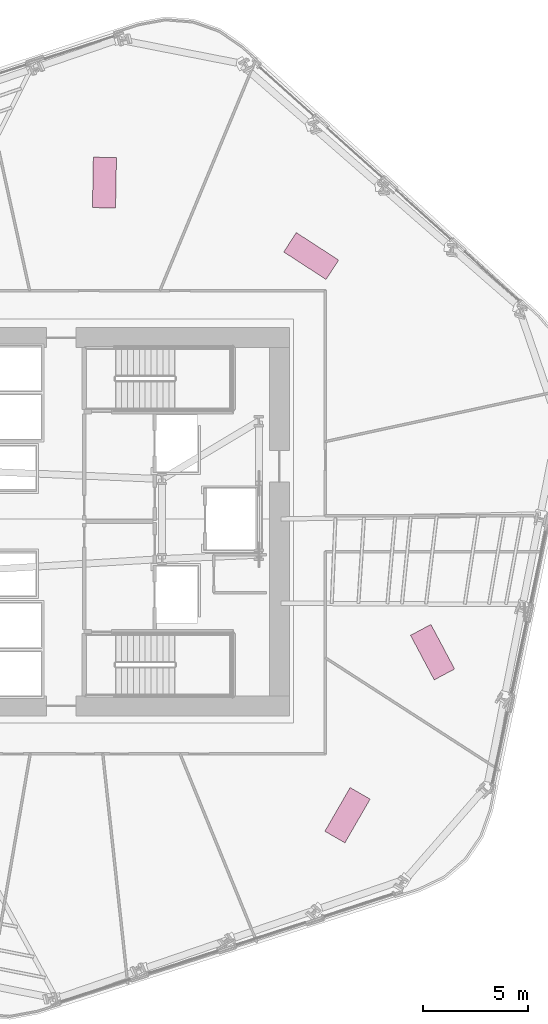
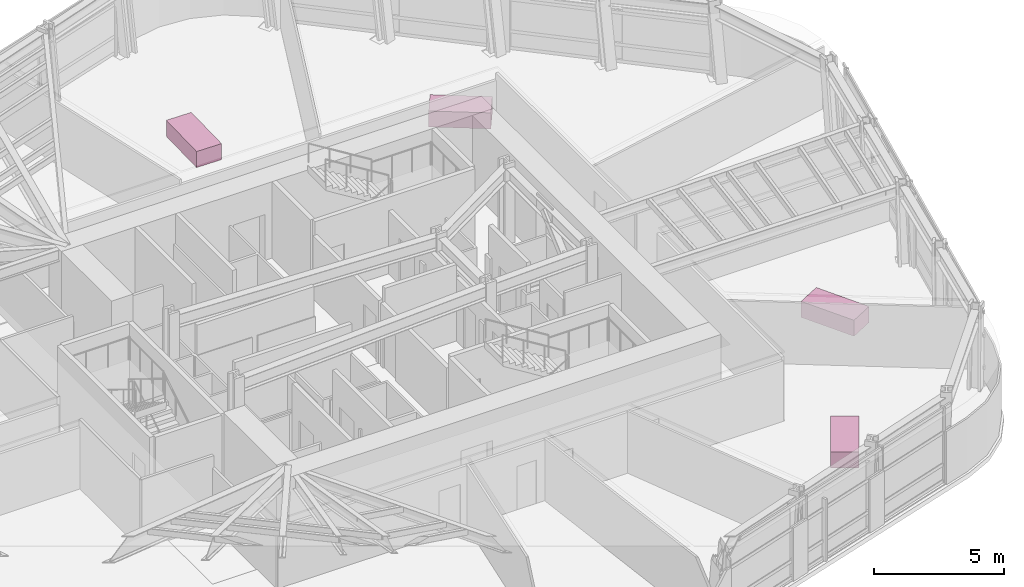
# One storey, part 16 of 16: 4 furniture elements.
"""IFC4 building model written with IfcOpenShell, lengths in metres."""

import ifcopenshell
import ifcopenshell.guid

model = None  # the IFC model being written
_history = None  # IfcOwnerHistory: only IFC2X3 demands one
_inside = {}  # id of a spatial element -> (the spatial element, [elements in it])
_under = {}  # id of a project, library or spatial element -> (it, [spatial elements below it])
_declared = {}  # id of a project -> (the project, [libraries it declares])
_typed = {}  # id of a type object -> (the type object, [elements of that type])
_made_of = {}  # id of a material, layer set ... -> (it, [elements and type objects made of it])


def new_model(schema):
    """Start an empty IFC model of exactly this schema.

    Asked for "IFC4X3", IfcOpenShell would pick the latest addendum, in which some entities
    have other attributes; the version numbers below select the first issue.
    IFC2X3 requires an IfcOwnerHistory on every rooted entity: one is made here for all.
    """
    global model, _history
    if schema == "IFC4X3":
        model = ifcopenshell.file(schema_version=(4, 3, 0, 0))
    else:
        model = ifcopenshell.file(schema=schema)
    _inside.clear()
    _under.clear()
    _declared.clear()
    _typed.clear()
    _made_of.clear()
    _history = None
    if model.schema == "IFC2X3":
        org = make("IfcOrganization", Name="unknown")
        user = make(
            "IfcPersonAndOrganization",
            ThePerson=make("IfcPerson", FamilyName="unknown"),
            TheOrganization=org,
        )
        app = make(
            "IfcApplication",
            ApplicationDeveloper=org,
            Version="unknown",
            ApplicationFullName="unknown",
            ApplicationIdentifier="unknown",
        )
        _history = make(
            "IfcOwnerHistory",
            OwningUser=user,
            OwningApplication=app,
            ChangeAction="ADDED",
            CreationDate=0,
        )
    return model


def make(cls, **values):
    """One entity of the class cls with the attributes given. An attribute that is None is left unset."""
    return model.create_entity(
        cls, **{name: value for name, value in values.items() if value is not None}
    )


def rooted(cls, **values):
    """An entity with a GlobalId (a new one), such as an element, a storey or a relation."""
    return make(cls, GlobalId=ifcopenshell.guid.new(), OwnerHistory=_history, **values)


def si_unit(unit_type, name, prefix=None):
    """IfcSIUnit, for example si_unit("LENGTHUNIT", "METRE", prefix="MILLI")."""
    return make("IfcSIUnit", UnitType=unit_type, Prefix=prefix, Name=name)


def assignment(units):
    """IfcUnitAssignment: the units of a project."""
    return None if units is None else make("IfcUnitAssignment", Units=units)


def point(xyz):
    """IfcCartesianPoint."""
    return None if xyz is None else make("IfcCartesianPoint", Coordinates=xyz)


def direction(xyz):
    """IfcDirection."""
    return None if xyz is None else make("IfcDirection", DirectionRatios=xyz)


def frame(location, z_axis=None, x_axis=None):
    """IfcAxis2Placement3D, a coordinate frame: its origin and axes. An axis left out is left unset."""
    return make(
        "IfcAxis2Placement3D",
        Location=point(location),
        Axis=direction(z_axis),
        RefDirection=direction(x_axis),
    )


def frame_2d(location, x_axis=None):
    """IfcAxis2Placement2D, a coordinate frame in the plane: its origin and x axis."""
    return make(
        "IfcAxis2Placement2D", Location=point(location), RefDirection=direction(x_axis)
    )


def origin():
    """The frame at (0, 0, 0) with its axes left unset."""
    return frame((0.0, 0.0, 0.0))


def origin_2d():
    """The frame at (0, 0) in the plane with its x axis left unset."""
    return frame_2d((0.0, 0.0))


def place(relative_to, where):
    """IfcLocalPlacement: puts the frame where relative to a parent placement (None: the world)."""
    return make(
        "IfcLocalPlacement", PlacementRelTo=relative_to, RelativePlacement=where
    )


def context(
    kind, dimensions, precision=None, world=None, true_north=None, identifier=None
):
    """IfcGeometricRepresentationContext, for example the 3D "Model" context."""
    return make(
        "IfcGeometricRepresentationContext",
        ContextIdentifier=identifier,
        ContextType=kind,
        CoordinateSpaceDimension=dimensions,
        Precision=precision,
        WorldCoordinateSystem=world,
        TrueNorth=true_north,
    )


def subcontext(parent, identifier, kind, view, scale=None):
    """IfcGeometricRepresentationSubContext, for example "Body" below "Model"."""
    return make(
        "IfcGeometricRepresentationSubContext",
        ContextIdentifier=identifier,
        ContextType=kind,
        ParentContext=parent,
        TargetScale=scale,
        TargetView=view,
    )


def project(units=None, contexts=None):
    """IfcProject with its units and contexts."""
    return rooted(
        "IfcProject",
        Name="project",
        RepresentationContexts=contexts,
        UnitsInContext=assignment(units),
    )


def spatial(cls, under=None, at=None, **own):
    """A site, building, storey or space (cls), placed at a placement, below another one or the project."""
    s = rooted(cls, ObjectPlacement=at, **own)
    if under is not None:
        _under.setdefault(under.id(), (under, []))[1].append(s)
    return s


def profile(cls, at=None, kind="AREA", **sizes):
    """A parametric profile (cls). Its sizes go by their IFC names, for example OverallWidth=200.0."""
    return make(cls, ProfileType=kind, Position=at, **sizes)


def rectangle(**sizes):
    """IfcRectangleProfileDef."""
    return profile("IfcRectangleProfileDef", **sizes)


def extrude(swept, where, along, depth):
    """IfcExtrudedAreaSolid: the profile swept, set in the frame where, extruded along a direction by depth."""
    return make(
        "IfcExtrudedAreaSolid",
        SweptArea=swept,
        Position=where,
        ExtrudedDirection=direction(along),
        Depth=depth,
    )


def shape(context_of_items, identifier, shape_type, items):
    """IfcShapeRepresentation: the items that make up one representation, for example the "Body"."""
    return make(
        "IfcShapeRepresentation",
        ContextOfItems=context_of_items,
        RepresentationIdentifier=identifier,
        RepresentationType=shape_type,
        Items=items,
    )


def material(Name=None, Category=None):
    """IfcMaterial."""
    return make("IfcMaterial", Name=Name, Category=Category)


def made_of(thing, what):
    """Note that an element or type object is made of a material, layer set ...; save() writes the relation."""
    if what is not None:
        _made_of.setdefault(what.id(), (what, []))[1].append(thing)
    return thing


def type_object(cls, material=None, **own):
    """A type object (cls), such as IfcWallType, which elements share."""
    return made_of(rooted(cls, **own), material)


def element(
    cls,
    number,
    at=None,
    inside=None,
    cuts=None,
    type_object=None,
    material=None,
    context=None,
    identifier="Body",
    shape_type=None,
    held_by="IfcProductDefinitionShape",
    body=None,
    shapes=None,
    **own,
):
    """One element of the class cls, such as IfcWall. Its Tag is "e" and its number.

    at: its placement. inside: the storey or other place that contains it. cuts: it is an
    opening in that element (IfcRelVoidsElement). A single representation is given by context,
    identifier, shape_type and body (its items); several are given by shapes. held_by: the class
    of the entity that holds the representations. save() writes the other relations.
    """
    e = rooted(cls, Tag="e%d" % number, ObjectPlacement=at, **own)
    if body is not None:
        shapes = [shape(context, identifier, shape_type, body)]
    if shapes is not None:
        e.Representation = make(held_by, Representations=shapes)
    if inside is not None:
        _inside.setdefault(inside.id(), (inside, []))[1].append(e)
    if cuts is not None:
        rooted(
            "IfcRelVoidsElement", RelatingBuildingElement=cuts, RelatedOpeningElement=e
        )
    if type_object is not None:
        _typed.setdefault(type_object.id(), (type_object, []))[1].append(e)
    return made_of(e, material)


def aggregate(whole, parts):
    """IfcRelAggregates: a whole, such as a stair, and the parts it consists of."""
    return rooted("IfcRelAggregates", RelatingObject=whole, RelatedObjects=parts)


def save(model, path):
    """Write the relations noted so far, then the file.

    IfcRelAggregates (storeys below a building ...), IfcRelContainedInSpatialStructure (elements
    in a storey), IfcRelDefinesByType, IfcRelAssociatesMaterial and IfcRelDeclares: one each for
    every whole, place, type object, material and project.
    """
    for whole, parts in _under.values():
        aggregate(whole, parts)
    for where, things in _inside.values():
        rooted(
            "IfcRelContainedInSpatialStructure",
            RelatedElements=things,
            RelatingStructure=where,
        )
    for kind, things in _typed.values():
        rooted("IfcRelDefinesByType", RelatedObjects=things, RelatingType=kind)
    for what, things in _made_of.values():
        rooted("IfcRelAssociatesMaterial", RelatedObjects=things, RelatingMaterial=what)
    for by, libraries in _declared.values():
        rooted("IfcRelDeclares", RelatingContext=by, RelatedDefinitions=libraries)
    model.write(path)


model = new_model("IFC4")

# Units and contexts
model_context = context("Model", 3, precision=1e-05, world=origin(), true_north=direction((0.0, 1.0)))
body_context = subcontext(model_context, "Body", "Model", "MODEL_VIEW")
ifc_project = project(units=[si_unit("LENGTHUNIT", "METRE"), si_unit("AREAUNIT", "SQUARE_METRE"), si_unit("VOLUMEUNIT", "CUBIC_METRE"), si_unit("PLANEANGLEUNIT", "RADIAN"), si_unit("MASSUNIT", "GRAM", prefix="KILO")], contexts=[model_context])

# Site, building, storey
site_placement = place(None, origin())
site = spatial("IfcSite", under=ifc_project, at=site_placement, CompositionType="ELEMENT")
building_placement = place(site_placement, origin())
building = spatial("IfcBuilding", under=site, at=building_placement, Name="Valkerne Bourse Tower", CompositionType="ELEMENT")
storey_placement = place(building_placement, frame((0.0, 0.0, 101.0)))
storey = spatial("IfcBuildingStorey", under=building, at=storey_placement, Name="L25", CompositionType="ELEMENT", Elevation=101.0)

# Furniture
ifc_material = material(Name="Architectural White Oak Timber", Category="wood")
furniture_type = type_object("IfcFurnitureType", Name="FURN-DESK-2400", AssemblyPlace="NOTDEFINED", PredefinedType="DESK", material=ifc_material)
for number, where, z_axis, x_axis, name in (
    (1, (59.162109375, 12.927001953125, 0.044921875), (0.0, 0.0, 1.0), (0.5, 0.866025403784, 0.0), "L25 Suite Worktable 05"),
    (2, (47.612060546875, 42.989013671875, 0.044921875), (0.0, 0.0, 1.0), (0.017452406437, 0.999847695156, 0.0), "L25 Suite Worktable 06"),
    (3, (63.2041015625, 20.674072265625, 0.044921875), (0.0, 0.0, 1.0), (-0.469471562786, 0.882947592859, 0.0), "L25 Suite Worktable 07"),
    (4, (57.43603515625, 39.4990234375, 0.044921875), (0.0, 0.0, 1.0), (-0.838670567945, 0.544639035015, 0.0), "L25 Suite Worktable 08"),
):
    element("IfcFurniture", number, at=place(storey_placement, frame(where, z_axis=z_axis, x_axis=x_axis)), inside=storey, type_object=furniture_type, Name=name, PredefinedType="DESK", context=body_context, shape_type="SweptSolid", body=[
        extrude(rectangle(XDim=2.39990234375, YDim=1.10009765625, at=origin_2d()), origin(), (0.0, 0.0, 1.0), 0.75),
    ])

save(model, "model.ifc")
